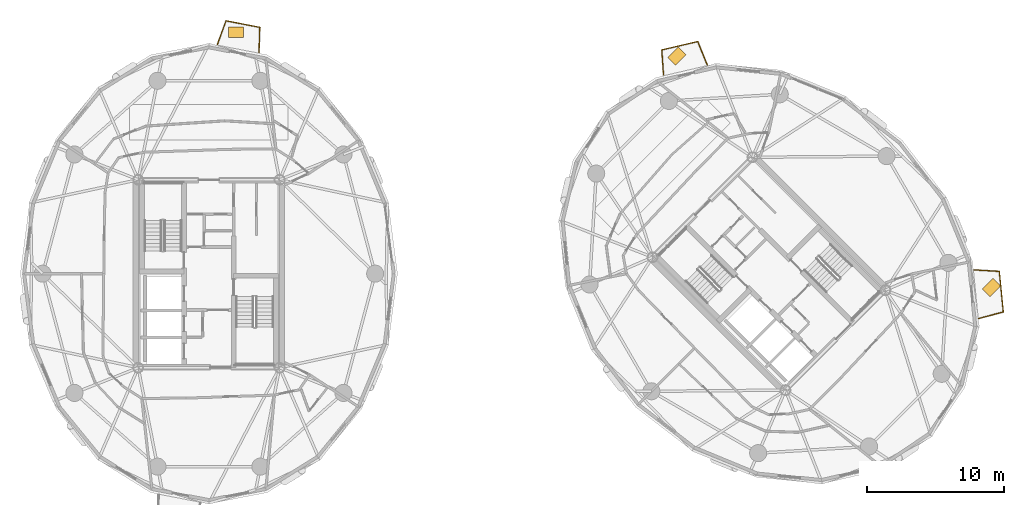
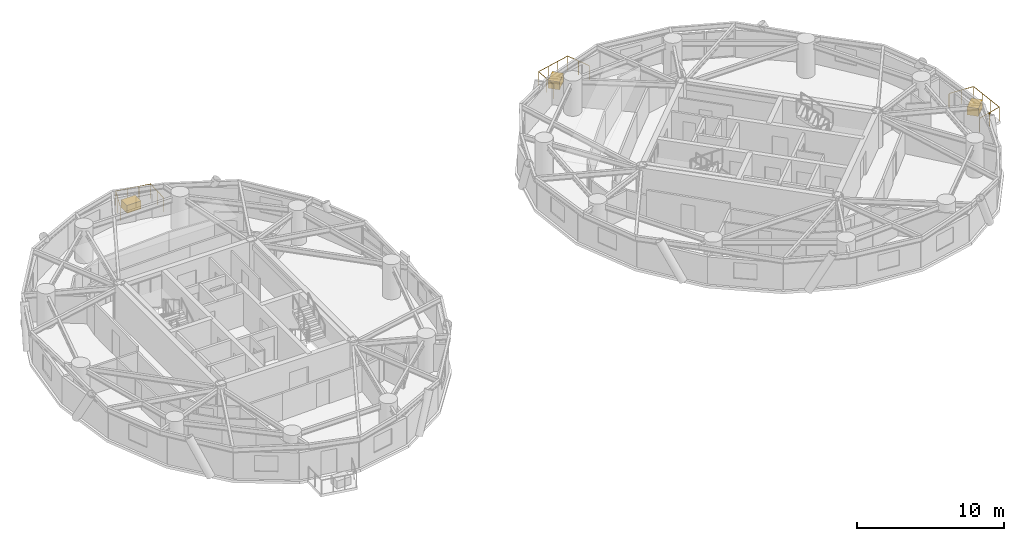
# One storey, part 16 of 16: 3 coverings, 3 railings.
"""IFC4 building model written with IfcOpenShell, lengths in metres."""

from ifc_helpers import new_model, si_unit, direction, frame, origin, origin_2d, place, context, subcontext, project, spatial, rectangle, circle, extrude, source, transform, mapped, material, layer, layer_set, type_object, element, save


model = new_model("IFC4")

# Units and contexts
model_context = context("Model", 3, precision=1e-05, world=origin(), true_north=direction((0.0, 1.0)))
body_context = subcontext(model_context, "Body", "Model", "MODEL_VIEW")
ifc_project = project(units=[si_unit("LENGTHUNIT", "METRE"), si_unit("AREAUNIT", "SQUARE_METRE"), si_unit("VOLUMEUNIT", "CUBIC_METRE"), si_unit("PLANEANGLEUNIT", "RADIAN"), si_unit("MASSUNIT", "GRAM", prefix="KILO")], contexts=[model_context])

# Site, building, storey
site_placement = place(None, origin())
site = spatial("IfcSite", under=ifc_project, at=site_placement, CompositionType="ELEMENT")
building_placement = place(site_placement, origin())
building = spatial("IfcBuilding", under=site, at=building_placement, Name="Cununo Teusaquillo Station Towers", CompositionType="ELEMENT")
storey_placement = place(building_placement, frame((0.0, 0.0, 171.969970703125)))
storey = spatial("IfcBuildingStorey", under=building, at=storey_placement, Name="L54", CompositionType="ELEMENT", Elevation=171.969970703125)

# Railings
ifc_material_1 = material(Name="Anodised dark bronze aluminium EN AW-6063-T6", Category="aluminium")
railing_type_1 = type_object("IfcRailingType", Name="RL-EXT-BALUS", PredefinedType="BALUSTRADE", material=ifc_material_1)
railing_1_placement = place(storey_placement, frame((17.116455078125, 41.27734375, 0.0)))
element("IfcRailing", 1, at=railing_1_placement, inside=storey, type_object=railing_type_1, Name="L54 Tower A Balcony Guardrail C04", PredefinedType="BALUSTRADE", context=body_context, shape_type="SweptSolid", body=[
    extrude(circle(Radius=0.02392578125, at=origin_2d()), frame((0.0, 0.0, 1.17578125), z_axis=(0.3440608985, 0.938947335117, 0.0), x_axis=(-0.938947335117, 0.3440608985, 0.0)), (0.0, 0.0, 1.0), 1.851318359375),
    extrude(circle(Radius=0.02392578125, at=origin_2d()), frame((0.636962890625, 1.73828125, 1.17578125), z_axis=(0.981842829823, -0.189696224332, 0.0), x_axis=(0.189696224332, 0.981842829823, 0.0)), (0.0, 0.0, 1.0), 2.517333984375),
    extrude(circle(Radius=0.02392578125, at=origin_2d()), frame((3.108642578125, 1.2607421875, 1.17578125), z_axis=(-0.030460792522, -0.999535962394, 0.0), x_axis=(0.999535962394, -0.030460792522, 0.0)), (0.0, 0.0, 1.0), 1.8515625),
    extrude(circle(Radius=0.02099609375, at=origin_2d()), origin(), (0.0, 0.0, 1.0), 1.15185546875),
    extrude(circle(Radius=0.02099609375, at=origin_2d()), frame((0.318359375, 0.869140625, 0.0)), (0.0, 0.0, 1.0), 1.15185546875),
    extrude(circle(Radius=0.02099609375, at=origin_2d()), frame((0.636962890625, 1.73828125, 0.0)), (0.0, 0.0, 1.0), 1.15185546875),
    extrude(circle(Radius=0.02099609375, at=origin_2d()), frame((1.4609375, 1.5791015625, 0.0)), (0.0, 0.0, 1.0), 1.15185546875),
    extrude(circle(Radius=0.02099609375, at=origin_2d()), frame((2.28466796875, 1.419921875, 0.0)), (0.0, 0.0, 1.0), 1.15185546875),
    extrude(circle(Radius=0.02099609375, at=origin_2d()), frame((3.108642578125, 1.2607421875, 0.0)), (0.0, 0.0, 1.0), 1.15185546875),
    extrude(circle(Radius=0.02099609375, at=origin_2d()), frame((3.08056640625, 0.33544921875, 0.0)), (0.0, 0.0, 1.0), 1.15185546875),
    extrude(circle(Radius=0.02099609375, at=origin_2d()), frame((3.05224609375, -0.58984375, 0.0)), (0.0, 0.0, 1.0), 1.15185546875),
])
railing_2_placement = place(storey_placement, frame((49.77978515625, 39.032958984375, 0.0)))
element("IfcRailing", 2, at=railing_2_placement, inside=storey, type_object=railing_type_1, Name="L54 Tower B Balcony Guardrail C03", PredefinedType="BALUSTRADE", context=body_context, shape_type="SweptSolid", body=[
    extrude(circle(Radius=0.02392578125, at=origin_2d()), frame((0.0, 0.0, 1.17578125), z_axis=(-0.068693698785, 0.997637797874, 0.0), x_axis=(-0.997637797874, -0.068693698785, 0.0)), (0.0, 0.0, 1.0), 1.855224609375),
    extrude(circle(Radius=0.02392578125, at=origin_2d()), frame((-0.12744140625, 1.850830078125, 1.17578125), z_axis=(0.973859874952, 0.227149606994, 0.0), x_axis=(-0.227149606994, 0.973859874952, 0.0)), (0.0, 0.0, 1.0), 2.700927734375),
    extrude(circle(Radius=0.02392578125, at=origin_2d()), frame((2.5029296875, 2.46435546875, 1.17578125), z_axis=(0.379862541108, -0.925042944875, 0.0), x_axis=(0.925042944875, 0.379862541108, 0.0)), (0.0, 0.0, 1.0), 1.854736328125),
    extrude(circle(Radius=0.02099609375, at=origin_2d()), origin(), (0.0, 0.0, 1.0), 1.15185546875),
    extrude(circle(Radius=0.02099609375, at=origin_2d()), frame((-0.063720703125, 0.92529296875, 0.0)), (0.0, 0.0, 1.0), 1.15185546875),
    extrude(circle(Radius=0.02099609375, at=origin_2d()), frame((-0.12744140625, 1.850830078125, 0.0)), (0.0, 0.0, 1.0), 1.15185546875),
    extrude(circle(Radius=0.02099609375, at=origin_2d()), frame((0.749267578125, 2.055419921875, 0.0)), (0.0, 0.0, 1.0), 1.15185546875),
    extrude(circle(Radius=0.02099609375, at=origin_2d()), frame((1.626220703125, 2.259765625, 0.0)), (0.0, 0.0, 1.0), 1.15185546875),
    extrude(circle(Radius=0.02099609375, at=origin_2d()), frame((2.5029296875, 2.46435546875, 0.0)), (0.0, 0.0, 1.0), 1.15185546875),
    extrude(circle(Radius=0.02099609375, at=origin_2d()), frame((2.855224609375, 1.6064453125, 0.0)), (0.0, 0.0, 1.0), 1.15185546875),
    extrude(circle(Radius=0.02099609375, at=origin_2d()), frame((3.20751953125, 0.74853515625, 0.0)), (0.0, 0.0, 1.0), 1.15185546875),
])
ifc_material_2 = material(Name="Anodised dark bronze aluminium EN AW-6063-T6", Category="aluminium")
railing_type_2 = type_object("IfcRailingType", Name="RL-EXT-GUARD", PredefinedType="GUARDRAIL", material=ifc_material_2)
railing_3_placement = place(storey_placement, frame((72.5068359375, 24.783447265625, 0.0)))
element("IfcRailing", 3, at=railing_3_placement, inside=storey, type_object=railing_type_2, Name="L54 Tower B Balcony Guardrail C17", PredefinedType="GUARDRAIL", context=body_context, shape_type="SweptSolid", body=[
    extrude(circle(Radius=0.02392578125, at=origin_2d()), frame((0.0, 0.0, 1.1259765625), z_axis=(0.998103815331, -0.061553016356, 0.0), x_axis=(0.061553016356, 0.998103815331, 0.0)), (0.0, 0.0, 1.0), 1.860107421875),
    extrude(circle(Radius=0.02392578125, at=origin_2d()), frame((1.856689453125, -0.114501953125, 1.1259765625), z_axis=(0.098604365732, -0.995126715076, 0.0), x_axis=(0.995126715076, 0.098604365732, 0.0)), (0.0, 0.0, 1.0), 2.983642578125),
    extrude(circle(Radius=0.02392578125, at=origin_2d()), frame((2.15087890625, -3.08349609375, 1.1259765625), z_axis=(-0.966593416032, -0.256314588121, 0.0), x_axis=(0.256314588121, -0.966593416032, 0.0)), (0.0, 0.0, 1.0), 1.8603515625),
    extrude(circle(Radius=0.02099609375, at=origin_2d()), origin(), (0.0, 0.0, 1.0), 1.101806640625),
    extrude(circle(Radius=0.02099609375, at=origin_2d()), frame((0.92822265625, -0.05712890625, 0.0)), (0.0, 0.0, 1.0), 1.101806640625),
    extrude(circle(Radius=0.02099609375, at=origin_2d()), frame((1.856689453125, -0.114501953125, 0.0)), (0.0, 0.0, 1.0), 1.101806640625),
    extrude(circle(Radius=0.02099609375, at=origin_2d()), frame((1.954833984375, -1.104248046875, 0.0)), (0.0, 0.0, 1.0), 1.101806640625),
    extrude(circle(Radius=0.02099609375, at=origin_2d()), frame((2.052734375, -2.09375, 0.0)), (0.0, 0.0, 1.0), 1.101806640625),
    extrude(circle(Radius=0.02099609375, at=origin_2d()), frame((2.15087890625, -3.08349609375, 0.0)), (0.0, 0.0, 1.0), 1.101806640625),
    extrude(circle(Radius=0.02099609375, at=origin_2d()), frame((1.251953125, -3.32177734375, 0.0)), (0.0, 0.0, 1.0), 1.101806640625),
    extrude(circle(Radius=0.02099609375, at=origin_2d()), frame((0.352783203125, -3.560302734375, 0.0)), (0.0, 0.0, 1.0), 1.101806640625),
])

# Coverings
ifc_material_3 = material(Name="Architectural GRC planter shell and engineered root-zone substrate", Category="concrete")
ifc_layer = layer(ifc_material_3, 0.64990234375)
ifc_layer_set = layer_set([ifc_layer], Name="Architectural GRC planter shell and engineered root-zone substrate")
covering_type = type_object("IfcCoveringType", Name="COV-TREE-PLANTER", PredefinedType="CLADDING", material=ifc_layer_set)
shared_shape = source(origin(), body_context, "Body", "SweptSolid", [
    extrude(rectangle(XDim=1.10009765625, YDim=0.800048828125, at=origin_2d()), origin(), (0.0, 0.0, 1.0), 0.64990234375),
])
for number, where, z_axis, x_axis, name in (
    (4, (18.48095703125, 42.17578125, 0.0), (0.0, 0.0, 1.0), (1.0, 0.0, 0.0), "L54 Tower A Balcony Tree PLANTER C04"),
    (5, (50.7490234375, 40.4326171875, 0.0), (0.0, 0.0, 1.0), (0.707106781187, 0.707106781187, 0.0), "L54 Tower B Balcony Tree PLANTER C03"),
    (6, (73.78466796875, 23.49951171875, 0.0), (0.0, 0.0, 1.0), (0.707106781187, 0.707106781187, 0.0), "L54 Tower B Balcony Tree PLANTER C17"),
):
    element("IfcCovering", number, at=place(storey_placement, frame(where, z_axis=z_axis, x_axis=x_axis)), inside=storey, type_object=covering_type, Name=name, PredefinedType="CLADDING", context=body_context, shape_type="MappedRepresentation", body=[
        mapped(shared_shape, transform((0.0, 0.0, 0.0), x_axis=(1.0, 0.0, 0.0), y_axis=(0.0, 1.0, 0.0), z_axis=(0.0, 0.0, 1.0), scale=1.0)),
    ])

save(model, "model.ifc")
